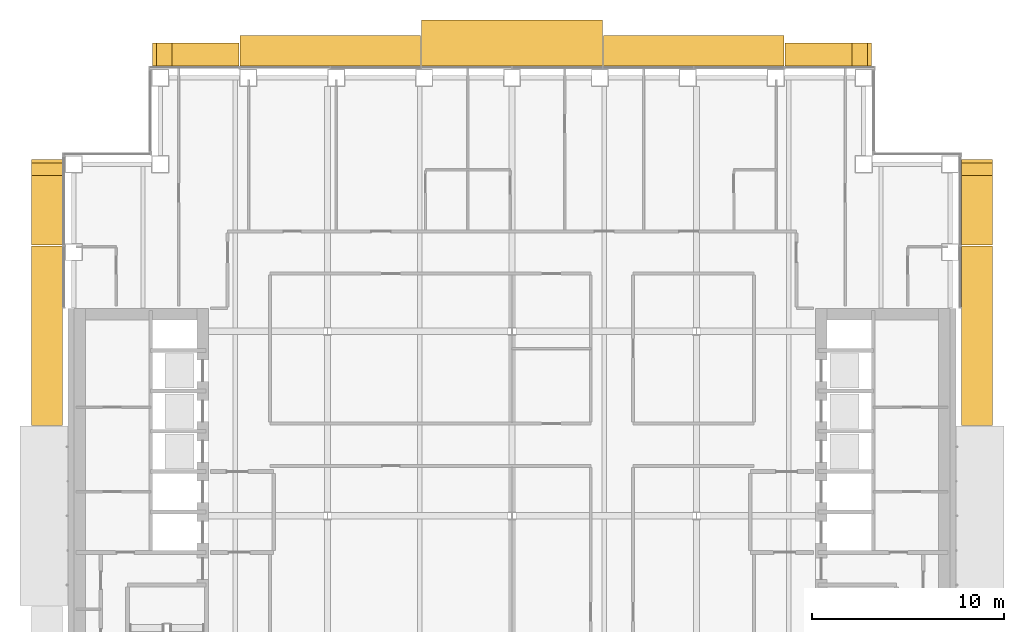
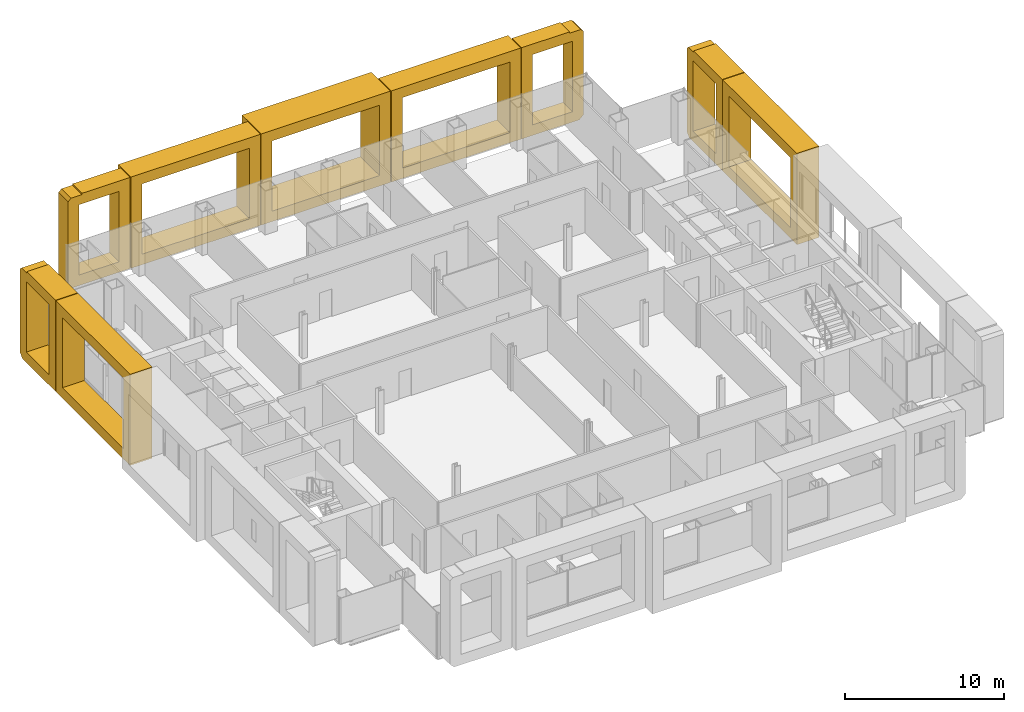
# One storey, part 19 of 20: 9 coverings.
"""IFC4 building model written with IfcOpenShell, lengths in metres."""

import ifcopenshell
import ifcopenshell.guid

model = None  # the IFC model being written
_history = None  # IfcOwnerHistory: only IFC2X3 demands one
_inside = {}  # id of a spatial element -> (the spatial element, [elements in it])
_under = {}  # id of a project, library or spatial element -> (it, [spatial elements below it])
_declared = {}  # id of a project -> (the project, [libraries it declares])
_typed = {}  # id of a type object -> (the type object, [elements of that type])
_made_of = {}  # id of a material, layer set ... -> (it, [elements and type objects made of it])


def new_model(schema):
    """Start an empty IFC model of exactly this schema.

    Asked for "IFC4X3", IfcOpenShell would pick the latest addendum, in which some entities
    have other attributes; the version numbers below select the first issue.
    IFC2X3 requires an IfcOwnerHistory on every rooted entity: one is made here for all.
    """
    global model, _history
    if schema == "IFC4X3":
        model = ifcopenshell.file(schema_version=(4, 3, 0, 0))
    else:
        model = ifcopenshell.file(schema=schema)
    _inside.clear()
    _under.clear()
    _declared.clear()
    _typed.clear()
    _made_of.clear()
    _history = None
    if model.schema == "IFC2X3":
        org = make("IfcOrganization", Name="unknown")
        user = make(
            "IfcPersonAndOrganization",
            ThePerson=make("IfcPerson", FamilyName="unknown"),
            TheOrganization=org,
        )
        app = make(
            "IfcApplication",
            ApplicationDeveloper=org,
            Version="unknown",
            ApplicationFullName="unknown",
            ApplicationIdentifier="unknown",
        )
        _history = make(
            "IfcOwnerHistory",
            OwningUser=user,
            OwningApplication=app,
            ChangeAction="ADDED",
            CreationDate=0,
        )
    return model


def make(cls, **values):
    """One entity of the class cls with the attributes given. An attribute that is None is left unset."""
    return model.create_entity(
        cls, **{name: value for name, value in values.items() if value is not None}
    )


def rooted(cls, **values):
    """An entity with a GlobalId (a new one), such as an element, a storey or a relation."""
    return make(cls, GlobalId=ifcopenshell.guid.new(), OwnerHistory=_history, **values)


def si_unit(unit_type, name, prefix=None):
    """IfcSIUnit, for example si_unit("LENGTHUNIT", "METRE", prefix="MILLI")."""
    return make("IfcSIUnit", UnitType=unit_type, Prefix=prefix, Name=name)


def assignment(units):
    """IfcUnitAssignment: the units of a project."""
    return None if units is None else make("IfcUnitAssignment", Units=units)


def point(xyz):
    """IfcCartesianPoint."""
    return None if xyz is None else make("IfcCartesianPoint", Coordinates=xyz)


def direction(xyz):
    """IfcDirection."""
    return None if xyz is None else make("IfcDirection", DirectionRatios=xyz)


def frame(location, z_axis=None, x_axis=None):
    """IfcAxis2Placement3D, a coordinate frame: its origin and axes. An axis left out is left unset."""
    return make(
        "IfcAxis2Placement3D",
        Location=point(location),
        Axis=direction(z_axis),
        RefDirection=direction(x_axis),
    )


def origin():
    """The frame at (0, 0, 0) with its axes left unset."""
    return frame((0.0, 0.0, 0.0))


def place(relative_to, where):
    """IfcLocalPlacement: puts the frame where relative to a parent placement (None: the world)."""
    return make(
        "IfcLocalPlacement", PlacementRelTo=relative_to, RelativePlacement=where
    )


def context(
    kind, dimensions, precision=None, world=None, true_north=None, identifier=None
):
    """IfcGeometricRepresentationContext, for example the 3D "Model" context."""
    return make(
        "IfcGeometricRepresentationContext",
        ContextIdentifier=identifier,
        ContextType=kind,
        CoordinateSpaceDimension=dimensions,
        Precision=precision,
        WorldCoordinateSystem=world,
        TrueNorth=true_north,
    )


def subcontext(parent, identifier, kind, view, scale=None):
    """IfcGeometricRepresentationSubContext, for example "Body" below "Model"."""
    return make(
        "IfcGeometricRepresentationSubContext",
        ContextIdentifier=identifier,
        ContextType=kind,
        ParentContext=parent,
        TargetScale=scale,
        TargetView=view,
    )


def project(units=None, contexts=None):
    """IfcProject with its units and contexts."""
    return rooted(
        "IfcProject",
        Name="project",
        RepresentationContexts=contexts,
        UnitsInContext=assignment(units),
    )


def spatial(cls, under=None, at=None, **own):
    """A site, building, storey or space (cls), placed at a placement, below another one or the project."""
    s = rooted(cls, ObjectPlacement=at, **own)
    if under is not None:
        _under.setdefault(under.id(), (under, []))[1].append(s)
    return s


def polyline(points):
    """IfcPolyline through the points."""
    return make("IfcPolyline", Points=[point(p) for p in points])


def outline(outer, holes=None, kind="AREA"):
    """IfcArbitraryClosedProfileDef: a profile drawn as a closed curve; with holes, ...WithVoids."""
    if holes is None:
        return make("IfcArbitraryClosedProfileDef", ProfileType=kind, OuterCurve=outer)
    return make(
        "IfcArbitraryProfileDefWithVoids",
        ProfileType=kind,
        OuterCurve=outer,
        InnerCurves=holes,
    )


def extrude(swept, where, along, depth):
    """IfcExtrudedAreaSolid: the profile swept, set in the frame where, extruded along a direction by depth."""
    return make(
        "IfcExtrudedAreaSolid",
        SweptArea=swept,
        Position=where,
        ExtrudedDirection=direction(along),
        Depth=depth,
    )


def shape(context_of_items, identifier, shape_type, items):
    """IfcShapeRepresentation: the items that make up one representation, for example the "Body"."""
    return make(
        "IfcShapeRepresentation",
        ContextOfItems=context_of_items,
        RepresentationIdentifier=identifier,
        RepresentationType=shape_type,
        Items=items,
    )


def material(Name=None, Category=None):
    """IfcMaterial."""
    return make("IfcMaterial", Name=Name, Category=Category)


def made_of(thing, what):
    """Note that an element or type object is made of a material, layer set ...; save() writes the relation."""
    if what is not None:
        _made_of.setdefault(what.id(), (what, []))[1].append(thing)
    return thing


def type_object(cls, material=None, **own):
    """A type object (cls), such as IfcWallType, which elements share."""
    return made_of(rooted(cls, **own), material)


def element(
    cls,
    number,
    at=None,
    inside=None,
    cuts=None,
    type_object=None,
    material=None,
    context=None,
    identifier="Body",
    shape_type=None,
    held_by="IfcProductDefinitionShape",
    body=None,
    shapes=None,
    **own,
):
    """One element of the class cls, such as IfcWall. Its Tag is "e" and its number.

    at: its placement. inside: the storey or other place that contains it. cuts: it is an
    opening in that element (IfcRelVoidsElement). A single representation is given by context,
    identifier, shape_type and body (its items); several are given by shapes. held_by: the class
    of the entity that holds the representations. save() writes the other relations.
    """
    e = rooted(cls, Tag="e%d" % number, ObjectPlacement=at, **own)
    if body is not None:
        shapes = [shape(context, identifier, shape_type, body)]
    if shapes is not None:
        e.Representation = make(held_by, Representations=shapes)
    if inside is not None:
        _inside.setdefault(inside.id(), (inside, []))[1].append(e)
    if cuts is not None:
        rooted(
            "IfcRelVoidsElement", RelatingBuildingElement=cuts, RelatedOpeningElement=e
        )
    if type_object is not None:
        _typed.setdefault(type_object.id(), (type_object, []))[1].append(e)
    return made_of(e, material)


def aggregate(whole, parts):
    """IfcRelAggregates: a whole, such as a stair, and the parts it consists of."""
    return rooted("IfcRelAggregates", RelatingObject=whole, RelatedObjects=parts)


def save(model, path):
    """Write the relations noted so far, then the file.

    IfcRelAggregates (storeys below a building ...), IfcRelContainedInSpatialStructure (elements
    in a storey), IfcRelDefinesByType, IfcRelAssociatesMaterial and IfcRelDeclares: one each for
    every whole, place, type object, material and project.
    """
    for whole, parts in _under.values():
        aggregate(whole, parts)
    for where, things in _inside.values():
        rooted(
            "IfcRelContainedInSpatialStructure",
            RelatedElements=things,
            RelatingStructure=where,
        )
    for kind, things in _typed.values():
        rooted("IfcRelDefinesByType", RelatedObjects=things, RelatingType=kind)
    for what, things in _made_of.values():
        rooted("IfcRelAssociatesMaterial", RelatedObjects=things, RelatingMaterial=what)
    for by, libraries in _declared.values():
        rooted("IfcRelDeclares", RelatingContext=by, RelatedDefinitions=libraries)
    model.write(path)


model = new_model("IFC4")

# Units and contexts
model_context = context("Model", 3, precision=1e-05, world=origin(), true_north=direction((0.0, 1.0)))
body_context = subcontext(model_context, "Body", "Model", "MODEL_VIEW")
ifc_project = project(units=[si_unit("LENGTHUNIT", "METRE"), si_unit("AREAUNIT", "SQUARE_METRE"), si_unit("VOLUMEUNIT", "CUBIC_METRE"), si_unit("PLANEANGLEUNIT", "RADIAN"), si_unit("MASSUNIT", "GRAM", prefix="KILO")], contexts=[model_context])

# Site, building, storey
site_placement = place(None, origin())
site = spatial("IfcSite", under=ifc_project, at=site_placement, CompositionType="ELEMENT")
building_placement = place(site_placement, origin())
building = spatial("IfcBuilding", under=site, at=building_placement, Name="Cobrizo Arcos Hotel Tower", CompositionType="ELEMENT")
storey_placement = place(building_placement, frame((0.0, 0.0, 110.0)))
storey = spatial("IfcBuildingStorey", under=building, at=storey_placement, Name="L27", CompositionType="ELEMENT", Elevation=110.0)

# Coverings
ifc_material = material(Name="Aluminium 6063-T6 anodised bronze", Category="aluminium")
covering_type_1 = type_object("IfcCoveringType", Name="FIN-F 1200", PredefinedType="CLADDING", material=ifc_material)
covering_1_placement = place(storey_placement, frame((18.699951171875, 23.39990234375, 0.0), z_axis=(0.0, 1.0, 0.0), x_axis=(-1.0, 0.0, 0.0)))
element("IfcCovering", 1, at=covering_1_placement, inside=storey, type_object=covering_type_1, Name="Fin frame 95", PredefinedType="CLADDING", context=body_context, shape_type="SweptSolid", body=[
    extrude(outline(polyline([(4.5, 7.0), (1.001953125, 7.0), (1.001953125, 6.89794921875), (0.197998046875, 6.89794921875), (0.0, 6.699951171875), (0.0, 0.300048828125), (0.300048828125, 0.0), (4.5, 0.0), (4.5, 7.0)]), holes=[polyline([(3.699951171875, 0.800048828125), (0.800048828125, 0.800048828125), (0.800048828125, 6.199951171875), (3.699951171875, 6.199951171875), (3.699951171875, 0.800048828125)])]), origin(), (0.0, 0.0, 1.0), 1.2001953125),
])
covering_2_placement = place(storey_placement, frame((-14.199951171875, 23.39990234375, 0.0), z_axis=(0.0, 1.0, 0.0), x_axis=(-1.0, 0.0, 0.0)))
element("IfcCovering", 2, at=covering_2_placement, inside=storey, type_object=covering_type_1, Name="Fin frame 99", PredefinedType="CLADDING", context=body_context, shape_type="SweptSolid", body=[
    extrude(outline(polyline([(4.5, 6.699951171875), (4.302001953125, 6.89794921875), (3.498046875, 6.89794921875), (3.498046875, 7.0), (0.0, 7.0), (0.0, 0.0), (4.199951171875, 0.0), (4.5, 0.300048828125), (4.5, 6.699951171875)]), holes=[polyline([(3.699951171875, 0.800048828125), (0.800048828125, 0.800048828125), (0.800048828125, 6.199951171875), (3.699951171875, 6.199951171875), (3.699951171875, 0.800048828125)])]), origin(), (0.0, 0.0, 1.0), 1.2001953125),
])
covering_type_2 = type_object("IfcCoveringType", Name="FIN-F 1600", PredefinedType="CLADDING", material=ifc_material)
for number, where, z_axis, x_axis, name in (
    (3, (14.14990234375, 23.39990234375, 0.0), (0.0, 1.0, 0.0), (-1.0, 0.0, 0.0), "Fin frame 96"),
    (4, (-4.75, 23.39990234375, 0.0), (0.0, 1.0, 0.0), (-1.0, 0.0, 0.0), "Fin frame 98"),
):
    element("IfcCovering", number, at=place(storey_placement, frame(where, z_axis=z_axis, x_axis=x_axis)), inside=storey, type_object=covering_type_2, Name=name, PredefinedType="CLADDING", context=body_context, shape_type="SweptSolid", body=[
        extrude(outline(polyline([(0.0, 7.0), (0.0, 0.0), (9.39990234375, 0.0), (9.39990234375, 7.0), (0.0, 7.0)]), holes=[polyline([(8.60009765625, 0.800048828125), (0.800048828125, 0.800048828125), (0.800048828125, 6.199951171875), (8.60009765625, 6.199951171875), (8.60009765625, 0.800048828125)])]), origin(), (0.0, 0.0, 1.0), 1.60009765625),
    ])
covering_3_placement = place(storey_placement, frame((23.39990234375, 4.71240234375, 0.0), z_axis=(1.0, 0.0, 0.0), x_axis=(0.0, 1.0, 0.0)))
element("IfcCovering", 5, at=covering_3_placement, inside=storey, type_object=covering_type_2, Name="Fin frame 119", PredefinedType="CLADDING", context=body_context, shape_type="SweptSolid", body=[
    extrude(outline(polyline([(0.0, 7.0), (0.0, 0.0), (9.324951171875, 0.0), (9.324951171875, 7.0), (0.0, 7.0)]), holes=[polyline([(8.52490234375, 0.800048828125), (0.800048828125, 0.800048828125), (0.800048828125, 6.199951171875), (8.52490234375, 6.199951171875), (8.52490234375, 0.800048828125)])]), origin(), (0.0, 0.0, 1.0), 1.60009765625),
])
covering_4_placement = place(storey_placement, frame((23.39990234375, 14.08740234375, 0.0), z_axis=(1.0, 0.0, 0.0), x_axis=(0.0, 1.0, 0.0)))
element("IfcCovering", 6, at=covering_4_placement, inside=storey, type_object=covering_type_2, Name="Fin frame 120", PredefinedType="CLADDING", context=body_context, shape_type="SweptSolid", body=[
    extrude(outline(polyline([(4.46240234375, 6.699951171875), (4.264404296875, 6.89794921875), (3.610595703125, 6.89794921875), (3.610595703125, 7.0), (0.0, 7.0), (0.0, 0.0), (4.16259765625, 0.0), (4.46240234375, 0.300048828125), (4.46240234375, 6.699951171875)]), holes=[polyline([(3.66259765625, 0.800048828125), (0.800048828125, 0.800048828125), (0.800048828125, 6.199951171875), (3.66259765625, 6.199951171875), (3.66259765625, 0.800048828125)])]), origin(), (0.0, 0.0, 1.0), 1.60009765625),
])
covering_5_placement = place(storey_placement, frame((-23.39990234375, 18.550048828125, 0.0), z_axis=(-1.0, 0.0, 0.0), x_axis=(0.0, -1.0, 0.0)))
element("IfcCovering", 7, at=covering_5_placement, inside=storey, type_object=covering_type_2, Name="Fin frame 159", PredefinedType="CLADDING", context=body_context, shape_type="SweptSolid", body=[
    extrude(outline(polyline([(4.46240234375, 7.0), (0.85205078125, 7.0), (0.85205078125, 6.89794921875), (0.197998046875, 6.89794921875), (0.0, 6.699951171875), (0.0, 0.300048828125), (0.300048828125, 0.0), (4.46240234375, 0.0), (4.46240234375, 7.0)]), holes=[polyline([(3.66259765625, 0.800048828125), (0.800048828125, 0.800048828125), (0.800048828125, 6.199951171875), (3.66259765625, 6.199951171875), (3.66259765625, 0.800048828125)])]), origin(), (0.0, 0.0, 1.0), 1.60009765625),
])
covering_6_placement = place(storey_placement, frame((-23.39990234375, 14.03759765625, 0.0), z_axis=(-1.0, 0.0, 0.0), x_axis=(0.0, -1.0, 0.0)))
element("IfcCovering", 8, at=covering_6_placement, inside=storey, type_object=covering_type_2, Name="Fin frame 160", PredefinedType="CLADDING", context=body_context, shape_type="SweptSolid", body=[
    extrude(outline(polyline([(0.0, 7.0), (0.0, 0.0), (9.324951171875, 0.0), (9.324951171875, 7.0), (0.0, 7.0)]), holes=[polyline([(8.52490234375, 0.800048828125), (0.800048828125, 0.800048828125), (0.800048828125, 6.199951171875), (8.52490234375, 6.199951171875), (8.52490234375, 0.800048828125)])]), origin(), (0.0, 0.0, 1.0), 1.60009765625),
])
covering_type_3 = type_object("IfcCoveringType", Name="FIN-F 2400", PredefinedType="CLADDING", material=ifc_material)
covering_7_placement = place(storey_placement, frame((4.699951171875, 23.39990234375, 0.0), z_axis=(0.0, 1.0, 0.0), x_axis=(-1.0, 0.0, 0.0)))
element("IfcCovering", 9, at=covering_7_placement, inside=storey, type_object=covering_type_3, Name="Fin frame 97", PredefinedType="CLADDING", context=body_context, shape_type="SweptSolid", body=[
    extrude(outline(polyline([(0.0, 7.0), (0.0, 0.0), (9.39990234375, 0.0), (9.39990234375, 7.0), (0.0, 7.0)]), holes=[polyline([(8.60009765625, 0.800048828125), (0.800048828125, 0.800048828125), (0.800048828125, 6.199951171875), (8.60009765625, 6.199951171875), (8.60009765625, 0.800048828125)])]), origin(), (0.0, 0.0, 1.0), 2.400146484375),
])

save(model, "model.ifc")
